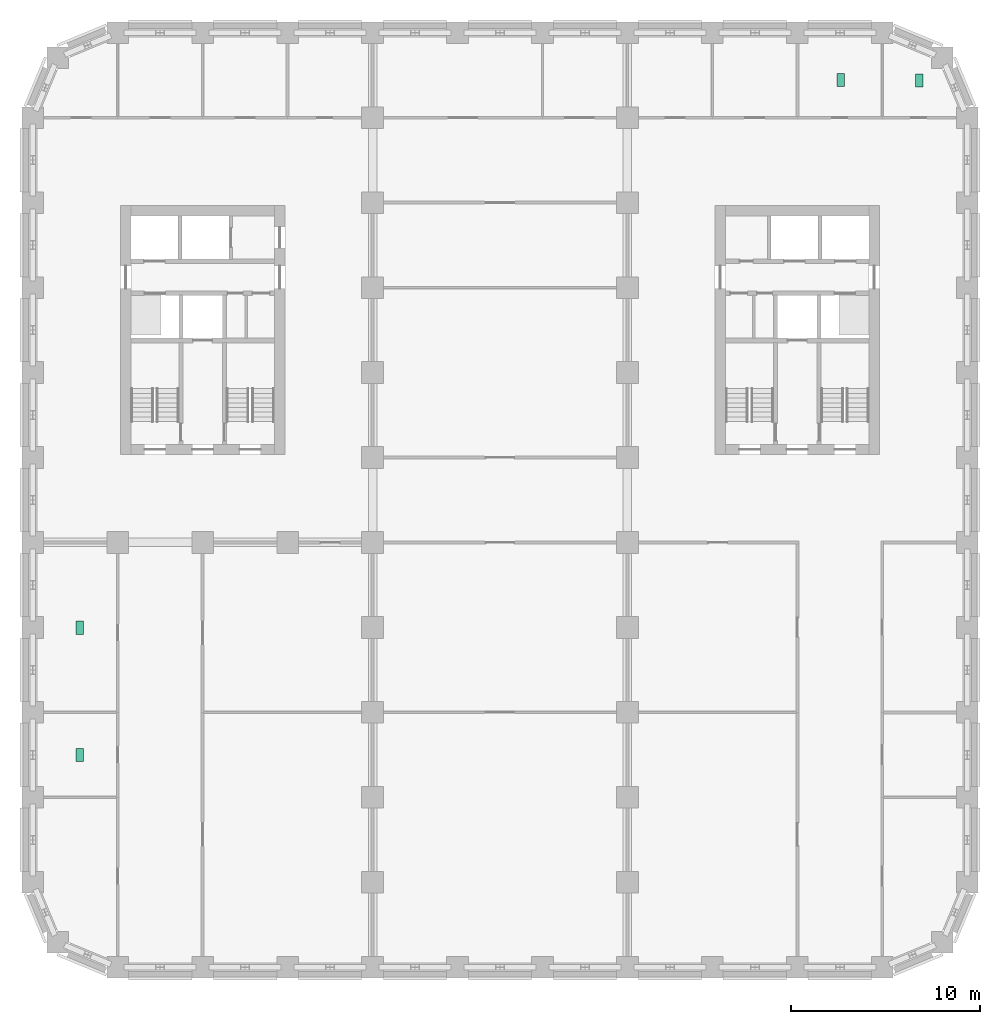
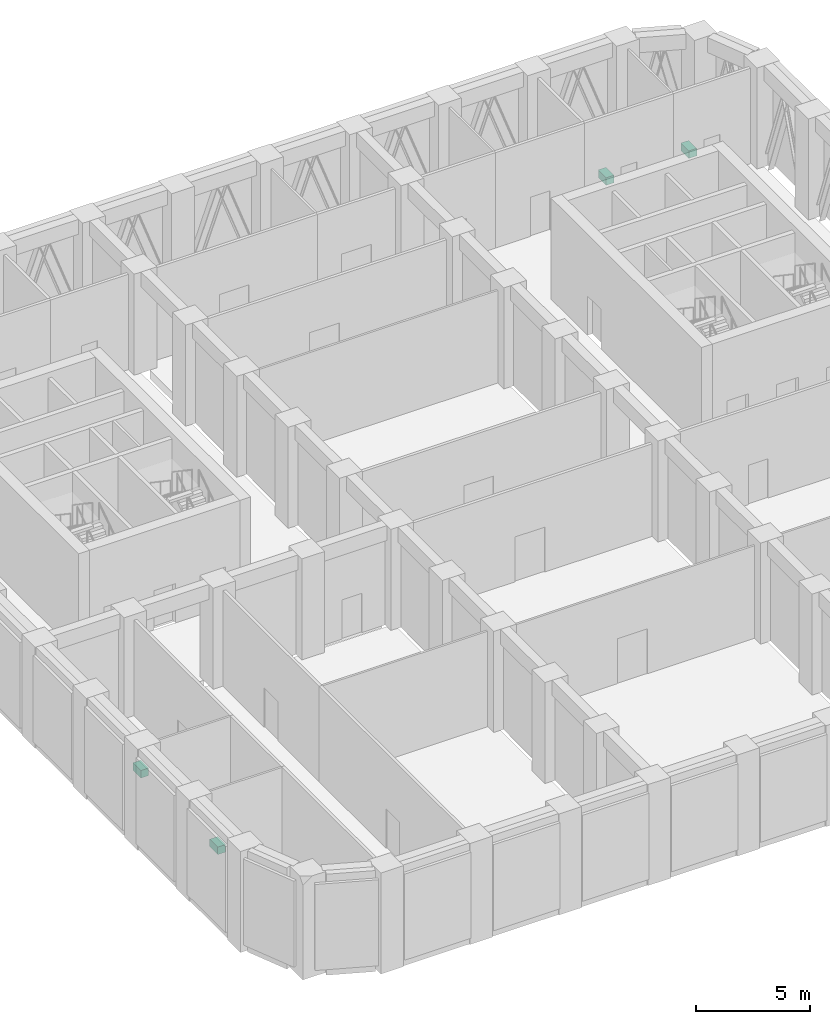
# One storey, part 10 of 11: 4 sanitary terminals.
"""IFC4 building model written with IfcOpenShell, lengths in metres."""

from ifc_helpers import new_model, si_unit, direction, frame, origin, origin_2d, place, context, subcontext, project, spatial, rectangle, extrude, material, type_object, element, save


model = new_model("IFC4")

# Units and contexts
model_context = context("Model", 3, precision=1e-05, world=origin(), true_north=direction((0.0, 1.0)))
body_context = subcontext(model_context, "Body", "Model", "MODEL_VIEW")
ifc_project = project(units=[si_unit("LENGTHUNIT", "METRE"), si_unit("AREAUNIT", "SQUARE_METRE"), si_unit("VOLUMEUNIT", "CUBIC_METRE"), si_unit("PLANEANGLEUNIT", "RADIAN"), si_unit("MASSUNIT", "GRAM", prefix="KILO")], contexts=[model_context])

# Site, building, storey
site_placement = place(None, origin())
site = spatial("IfcSite", under=ifc_project, at=site_placement, CompositionType="ELEMENT")
building_placement = place(site_placement, origin())
building = spatial("IfcBuilding", under=site, at=building_placement, Name="Girih Gate Residences", CompositionType="ELEMENT")
storey_placement = place(building_placement, frame((0.0, 0.0, 124.800048828125)))
storey = spatial("IfcBuildingStorey", under=building, at=storey_placement, Name="L35", CompositionType="ELEMENT", Elevation=124.800048828125)

# Sanitary terminals
ifc_material = material(Name="Vitreous china")
sanitary_terminal_type = type_object("IfcSanitaryTerminalType", Name="WC pan", PredefinedType="TOILETPAN", material=ifc_material)
for number, where, z_axis, x_axis, name in (
    (1, (46.947998046875, 46.966064453125, 0.0), (0.0, 0.0, 1.0), (1.0, 0.0, 0.0), "WC pan L35"),
    (2, (42.7880859375, 47.0, 0.0), (0.0, 0.0, 1.0), (1.0, 0.0, 0.0), "WC pan L35"),
    (3, (2.5, 11.25, 0.0), (0.0, 0.0, 1.0), (1.0, 0.0, 0.0), "WC pan L35"),
    (4, (2.5, 17.988037109375, 0.0), (0.0, 0.0, 1.0), (1.0, 0.0, 0.0), "WC pan L35"),
):
    element("IfcSanitaryTerminal", number, at=place(storey_placement, frame(where, z_axis=z_axis, x_axis=x_axis)), inside=storey, type_object=sanitary_terminal_type, Name=name, PredefinedType="TOILETPAN", context=body_context, shape_type="SweptSolid", body=[
        extrude(rectangle(XDim=0.39990234375, YDim=0.699951171875, at=origin_2d()), origin(), (0.0, 0.0, 1.0), 0.39990234375),
    ])

save(model, "model.ifc")
